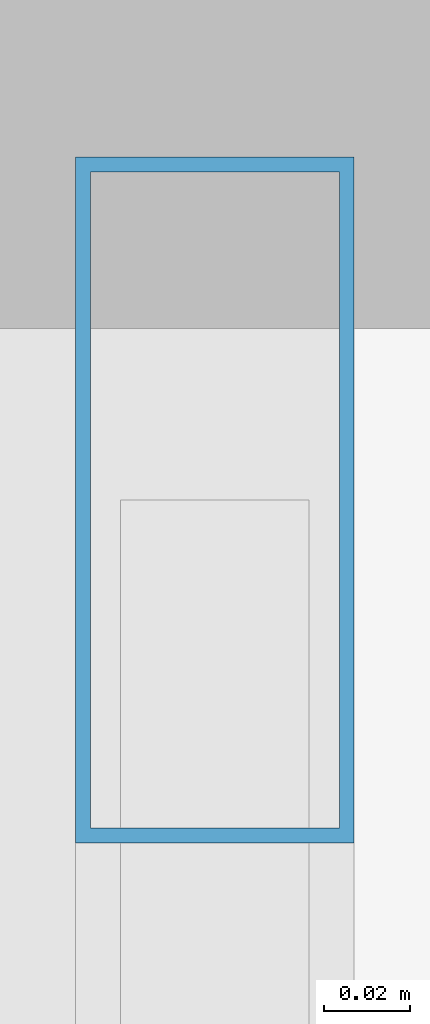
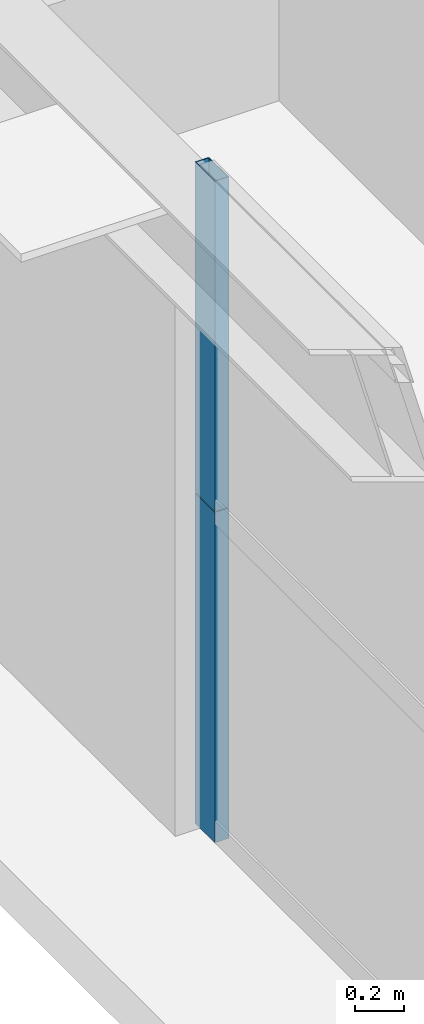
# One storey, part 23 of 37: 2 members, 1 element without a shape of its own.
"""IFC4 building model written with IfcOpenShell, lengths in metres."""

from ifc_helpers import new_model, si_unit, direction, frame, origin, origin_2d, place, context, subcontext, project, spatial, hollow_rectangle, extrude, source, transform, mapped, material, layer, layer_set, material_profile, profile_set, type_object, element, aggregate, save


model = new_model("IFC4")

# Units and contexts
model_context = context("Model", 3, precision=1e-05, world=origin(), true_north=direction((0.0, 1.0)))
body_context = subcontext(model_context, "Body", "Model", "MODEL_VIEW")
ifc_project = project(units=[si_unit("LENGTHUNIT", "METRE"), si_unit("AREAUNIT", "SQUARE_METRE"), si_unit("VOLUMEUNIT", "CUBIC_METRE"), si_unit("PLANEANGLEUNIT", "RADIAN"), si_unit("MASSUNIT", "GRAM", prefix="KILO"), si_unit("THERMODYNAMICTEMPERATUREUNIT", "KELVIN"), si_unit("POWERUNIT", "WATT")], contexts=[model_context])

# Site, building, storey
site_placement = place(None, origin())
site = spatial("IfcSite", under=ifc_project, at=site_placement, CompositionType="ELEMENT")
building_placement = place(site_placement, origin())
building = spatial("IfcBuilding", under=site, at=building_placement, Name="Yuzanri Waterfront Tower", CompositionType="ELEMENT")
storey_placement = place(building_placement, frame((0.0, 0.0, 268.10009765625)))
storey = spatial("IfcBuildingStorey", under=building, at=storey_placement, Name="L71", CompositionType="ELEMENT", Elevation=268.10009765625)

# Curtain wall, members
ifc_material_1 = material(Name="Anodized Architectural Bronze", Category="metal")
ifc_layer = layer(ifc_material_1, 0.159912109375)
ifc_layer_set = layer_set([ifc_layer], Name="Anodized Architectural Bronze")
curtain_wall_type = type_object("IfcCurtainWallType", Name="Anodized Bronze Mid-Rise Residential Acoustic Unitized Curtain Wall 7200", PredefinedType="NOTDEFINED", material=ifc_layer_set)
curtain_wall_placement = place(storey_placement, origin())
curtain_wall = element("IfcCurtainWall", 1, at=curtain_wall_placement, inside=storey, type_object=curtain_wall_type, Name="L71 Curtain Wall CW-L71-WR", PredefinedType="NOTDEFINED")
ifc_material_2 = material(Name="Anodized Architectural Bronze", Category="metal")
ifc_material_profile = material_profile(ifc_material_2, hollow_rectangle(XDim=0.06494140625, YDim=0.159912109375, WallThickness=0.00341796875, at=origin_2d()), Name="CWM 65x160")
ifc_profile_set = profile_set([ifc_material_profile], Name="Anodized Architectural Bronze")
member_type = type_object("IfcMemberType", Name="Anodized Bronze Upper-Zone Curtain-Wall Mullion 65x160", PredefinedType="MULLION", material=ifc_profile_set)
shared_shape = source(origin(), body_context, "Body", "SweptSolid", [
    extrude(hollow_rectangle(XDim=0.06494140625, YDim=0.159912109375, WallThickness=0.00341796875, at=origin_2d()), origin(), (0.0, 0.0, 1.0), 1.637939453125),
])
member_1_placement = place(storey_placement, frame((16.550048828125, 39.010009765625, 0.0), z_axis=(0.0, 0.0, 1.0), x_axis=(1.0, 0.0, 0.0)))
member_1 = element("IfcMember", 2, at=member_1_placement, type_object=member_type, Name="CW-L71-WR Lower Mullion 02", PredefinedType="MULLION", context=body_context, shape_type="MappedRepresentation", body=[
    mapped(shared_shape, transform((0.0, 0.0, 0.0), scale=1.0)),
])
member_2_placement = place(storey_placement, frame((16.550048828125, 39.010009765625, 1.641845703125), z_axis=(0.0, 0.0, 1.0), x_axis=(1.0, 0.0, 0.0)))
member_2 = element("IfcMember", 3, at=member_2_placement, type_object=member_type, Name="CW-L71-WR Upper Mullion 02", PredefinedType="MULLION", context=body_context, shape_type="MappedRepresentation", body=[
    mapped(shared_shape, transform((0.0, 0.0, 0.0), scale=1.0)),
])
aggregate(curtain_wall, [member_1, member_2])

save(model, "model.ifc")
